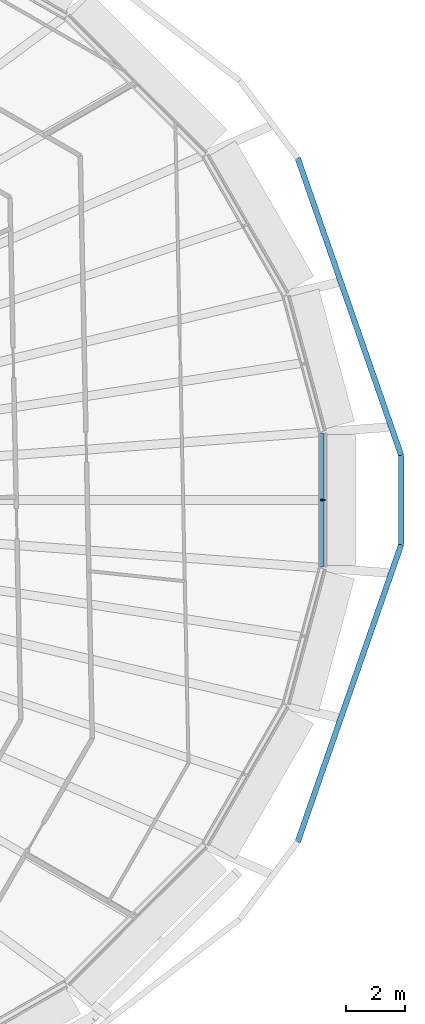
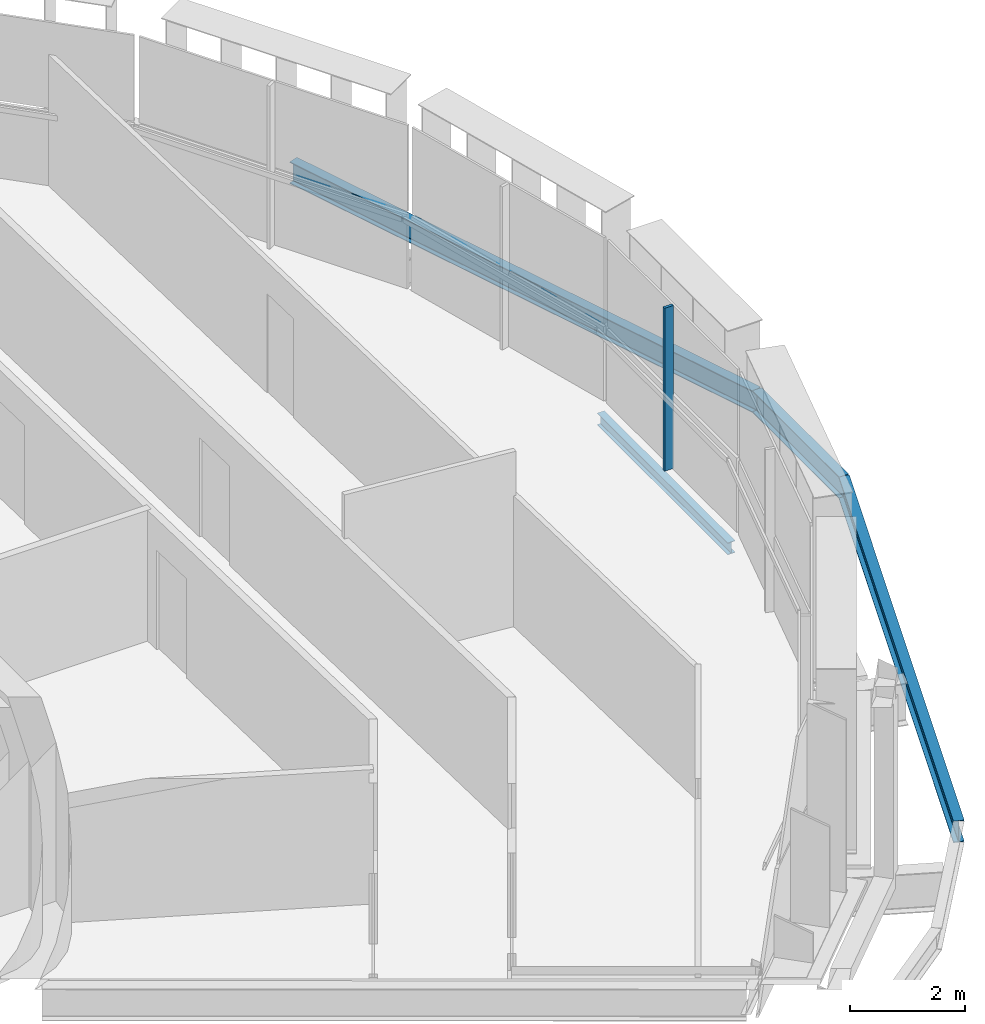
# One storey, part 9 of 23: 4 beams, 1 member, 1 element without a shape of its own.
"""IFC4 building model written with IfcOpenShell, lengths in metres."""

import ifcopenshell
import ifcopenshell.guid

model = None  # the IFC model being written
_history = None  # IfcOwnerHistory: only IFC2X3 demands one
_inside = {}  # id of a spatial element -> (the spatial element, [elements in it])
_under = {}  # id of a project, library or spatial element -> (it, [spatial elements below it])
_declared = {}  # id of a project -> (the project, [libraries it declares])
_typed = {}  # id of a type object -> (the type object, [elements of that type])
_made_of = {}  # id of a material, layer set ... -> (it, [elements and type objects made of it])


def new_model(schema):
    """Start an empty IFC model of exactly this schema.

    Asked for "IFC4X3", IfcOpenShell would pick the latest addendum, in which some entities
    have other attributes; the version numbers below select the first issue.
    IFC2X3 requires an IfcOwnerHistory on every rooted entity: one is made here for all.
    """
    global model, _history
    if schema == "IFC4X3":
        model = ifcopenshell.file(schema_version=(4, 3, 0, 0))
    else:
        model = ifcopenshell.file(schema=schema)
    _inside.clear()
    _under.clear()
    _declared.clear()
    _typed.clear()
    _made_of.clear()
    _history = None
    if model.schema == "IFC2X3":
        org = make("IfcOrganization", Name="unknown")
        user = make(
            "IfcPersonAndOrganization",
            ThePerson=make("IfcPerson", FamilyName="unknown"),
            TheOrganization=org,
        )
        app = make(
            "IfcApplication",
            ApplicationDeveloper=org,
            Version="unknown",
            ApplicationFullName="unknown",
            ApplicationIdentifier="unknown",
        )
        _history = make(
            "IfcOwnerHistory",
            OwningUser=user,
            OwningApplication=app,
            ChangeAction="ADDED",
            CreationDate=0,
        )
    return model


def make(cls, **values):
    """One entity of the class cls with the attributes given. An attribute that is None is left unset."""
    return model.create_entity(
        cls, **{name: value for name, value in values.items() if value is not None}
    )


def rooted(cls, **values):
    """An entity with a GlobalId (a new one), such as an element, a storey or a relation."""
    return make(cls, GlobalId=ifcopenshell.guid.new(), OwnerHistory=_history, **values)


def si_unit(unit_type, name, prefix=None):
    """IfcSIUnit, for example si_unit("LENGTHUNIT", "METRE", prefix="MILLI")."""
    return make("IfcSIUnit", UnitType=unit_type, Prefix=prefix, Name=name)


def assignment(units):
    """IfcUnitAssignment: the units of a project."""
    return None if units is None else make("IfcUnitAssignment", Units=units)


def point(xyz):
    """IfcCartesianPoint."""
    return None if xyz is None else make("IfcCartesianPoint", Coordinates=xyz)


def direction(xyz):
    """IfcDirection."""
    return None if xyz is None else make("IfcDirection", DirectionRatios=xyz)


def frame(location, z_axis=None, x_axis=None):
    """IfcAxis2Placement3D, a coordinate frame: its origin and axes. An axis left out is left unset."""
    return make(
        "IfcAxis2Placement3D",
        Location=point(location),
        Axis=direction(z_axis),
        RefDirection=direction(x_axis),
    )


def frame_2d(location, x_axis=None):
    """IfcAxis2Placement2D, a coordinate frame in the plane: its origin and x axis."""
    return make(
        "IfcAxis2Placement2D", Location=point(location), RefDirection=direction(x_axis)
    )


def origin():
    """The frame at (0, 0, 0) with its axes left unset."""
    return frame((0.0, 0.0, 0.0))


def origin_2d():
    """The frame at (0, 0) in the plane with its x axis left unset."""
    return frame_2d((0.0, 0.0))


def place(relative_to, where):
    """IfcLocalPlacement: puts the frame where relative to a parent placement (None: the world)."""
    return make(
        "IfcLocalPlacement", PlacementRelTo=relative_to, RelativePlacement=where
    )


def context(
    kind, dimensions, precision=None, world=None, true_north=None, identifier=None
):
    """IfcGeometricRepresentationContext, for example the 3D "Model" context."""
    return make(
        "IfcGeometricRepresentationContext",
        ContextIdentifier=identifier,
        ContextType=kind,
        CoordinateSpaceDimension=dimensions,
        Precision=precision,
        WorldCoordinateSystem=world,
        TrueNorth=true_north,
    )


def subcontext(parent, identifier, kind, view, scale=None):
    """IfcGeometricRepresentationSubContext, for example "Body" below "Model"."""
    return make(
        "IfcGeometricRepresentationSubContext",
        ContextIdentifier=identifier,
        ContextType=kind,
        ParentContext=parent,
        TargetScale=scale,
        TargetView=view,
    )


def project(units=None, contexts=None):
    """IfcProject with its units and contexts."""
    return rooted(
        "IfcProject",
        Name="project",
        RepresentationContexts=contexts,
        UnitsInContext=assignment(units),
    )


def spatial(cls, under=None, at=None, **own):
    """A site, building, storey or space (cls), placed at a placement, below another one or the project."""
    s = rooted(cls, ObjectPlacement=at, **own)
    if under is not None:
        _under.setdefault(under.id(), (under, []))[1].append(s)
    return s


def profile(cls, at=None, kind="AREA", **sizes):
    """A parametric profile (cls). Its sizes go by their IFC names, for example OverallWidth=200.0."""
    return make(cls, ProfileType=kind, Position=at, **sizes)


def rectangle(**sizes):
    """IfcRectangleProfileDef."""
    return profile("IfcRectangleProfileDef", **sizes)


def i_section(**sizes):
    """IfcIShapeProfileDef."""
    return profile("IfcIShapeProfileDef", **sizes)


def extrude(swept, where, along, depth):
    """IfcExtrudedAreaSolid: the profile swept, set in the frame where, extruded along a direction by depth."""
    return make(
        "IfcExtrudedAreaSolid",
        SweptArea=swept,
        Position=where,
        ExtrudedDirection=direction(along),
        Depth=depth,
    )


def shape(context_of_items, identifier, shape_type, items):
    """IfcShapeRepresentation: the items that make up one representation, for example the "Body"."""
    return make(
        "IfcShapeRepresentation",
        ContextOfItems=context_of_items,
        RepresentationIdentifier=identifier,
        RepresentationType=shape_type,
        Items=items,
    )


def material(Name=None, Category=None):
    """IfcMaterial."""
    return make("IfcMaterial", Name=Name, Category=Category)


def layer(
    of_material, thickness, ventilated=None, Name=None, Category=None, Priority=None
):
    """IfcMaterialLayer: one layer of a wall or slab, of a material (None: an air gap)."""
    return make(
        "IfcMaterialLayer",
        Material=of_material,
        LayerThickness=thickness,
        IsVentilated=ventilated,
        Name=Name,
        Category=Category,
        Priority=Priority,
    )


def layer_set(layers, Name=None):
    """IfcMaterialLayerSet."""
    return make("IfcMaterialLayerSet", MaterialLayers=layers, LayerSetName=Name)


def material_profile(
    of_material, cross_section, Name=None, Category=None, Priority=None
):
    """IfcMaterialProfile: a cross section and its material."""
    return make(
        "IfcMaterialProfile",
        Name=Name,
        Material=of_material,
        Profile=cross_section,
        Priority=Priority,
        Category=Category,
    )


def profile_set(profiles, Name=None, composite=None):
    """IfcMaterialProfileSet."""
    return make(
        "IfcMaterialProfileSet",
        Name=Name,
        MaterialProfiles=profiles,
        CompositeProfile=composite,
    )


def made_of(thing, what):
    """Note that an element or type object is made of a material, layer set ...; save() writes the relation."""
    if what is not None:
        _made_of.setdefault(what.id(), (what, []))[1].append(thing)
    return thing


def type_object(cls, material=None, **own):
    """A type object (cls), such as IfcWallType, which elements share."""
    return made_of(rooted(cls, **own), material)


def element(
    cls,
    number,
    at=None,
    inside=None,
    cuts=None,
    type_object=None,
    material=None,
    context=None,
    identifier="Body",
    shape_type=None,
    held_by="IfcProductDefinitionShape",
    body=None,
    shapes=None,
    **own,
):
    """One element of the class cls, such as IfcWall. Its Tag is "e" and its number.

    at: its placement. inside: the storey or other place that contains it. cuts: it is an
    opening in that element (IfcRelVoidsElement). A single representation is given by context,
    identifier, shape_type and body (its items); several are given by shapes. held_by: the class
    of the entity that holds the representations. save() writes the other relations.
    """
    e = rooted(cls, Tag="e%d" % number, ObjectPlacement=at, **own)
    if body is not None:
        shapes = [shape(context, identifier, shape_type, body)]
    if shapes is not None:
        e.Representation = make(held_by, Representations=shapes)
    if inside is not None:
        _inside.setdefault(inside.id(), (inside, []))[1].append(e)
    if cuts is not None:
        rooted(
            "IfcRelVoidsElement", RelatingBuildingElement=cuts, RelatedOpeningElement=e
        )
    if type_object is not None:
        _typed.setdefault(type_object.id(), (type_object, []))[1].append(e)
    return made_of(e, material)


def aggregate(whole, parts):
    """IfcRelAggregates: a whole, such as a stair, and the parts it consists of."""
    return rooted("IfcRelAggregates", RelatingObject=whole, RelatedObjects=parts)


def save(model, path):
    """Write the relations noted so far, then the file.

    IfcRelAggregates (storeys below a building ...), IfcRelContainedInSpatialStructure (elements
    in a storey), IfcRelDefinesByType, IfcRelAssociatesMaterial and IfcRelDeclares: one each for
    every whole, place, type object, material and project.
    """
    for whole, parts in _under.values():
        aggregate(whole, parts)
    for where, things in _inside.values():
        rooted(
            "IfcRelContainedInSpatialStructure",
            RelatedElements=things,
            RelatingStructure=where,
        )
    for kind, things in _typed.values():
        rooted("IfcRelDefinesByType", RelatedObjects=things, RelatingType=kind)
    for what, things in _made_of.values():
        rooted("IfcRelAssociatesMaterial", RelatedObjects=things, RelatingMaterial=what)
    for by, libraries in _declared.values():
        rooted("IfcRelDeclares", RelatingContext=by, RelatedDefinitions=libraries)
    model.write(path)


model = new_model("IFC4")

# Units and contexts
model_context = context("Model", 3, precision=1e-05, world=origin(), true_north=direction((0.0, 1.0)))
body_context = subcontext(model_context, "Body", "Model", "MODEL_VIEW")
ifc_project = project(units=[si_unit("LENGTHUNIT", "METRE"), si_unit("AREAUNIT", "SQUARE_METRE"), si_unit("VOLUMEUNIT", "CUBIC_METRE"), si_unit("PLANEANGLEUNIT", "RADIAN"), si_unit("MASSUNIT", "GRAM", prefix="KILO")], contexts=[model_context])

# Site, building, storey
site_placement = place(None, origin())
site = spatial("IfcSite", under=ifc_project, at=site_placement, CompositionType="ELEMENT")
building_placement = place(site_placement, origin())
building = spatial("IfcBuilding", under=site, at=building_placement, Name="Sahrelin Media Tower", CompositionType="ELEMENT")
storey_placement = place(building_placement, frame((0.0, 0.0, 185.60009765625)))
storey = spatial("IfcBuildingStorey", under=building, at=storey_placement, Name="L39", CompositionType="ELEMENT", Elevation=185.60009765625)

# Beam
ifc_material_1 = material(Name="Steel S355", Category="steel")
ifc_material_profile_1 = material_profile(ifc_material_1, i_section(OverallWidth=0.14599609375, OverallDepth=0.25146484375, WebThickness=0.006103515625, FlangeThickness=0.008544921875, FilletRadius=0.007568359375, at=origin_2d()), Name="UB 254x146x31")
ifc_profile_set_1 = profile_set([ifc_material_profile_1], Name="Steel S355")
beam_type_1 = type_object("IfcBeamType", Name="Edge beam EB1", PredefinedType="BEAM", material=ifc_profile_set_1)
beam_1_placement = place(storey_placement, frame((30.67724609375, 2.267578125, -0.27587890625), z_axis=(0.0, -1.0, 0.0), x_axis=(1.0, 0.0, 0.0)))
element("IfcBeam", 1, at=beam_1_placement, inside=storey, type_object=beam_type_1, Name="Edge beam L39-01", PredefinedType="BEAM", context=body_context, shape_type="SweptSolid", body=[
    extrude(i_section(OverallWidth=0.14599609375, OverallDepth=0.25146484375, WebThickness=0.006103515625, FlangeThickness=0.008544921875, FilletRadius=0.007568359375, at=origin_2d()), origin(), (0.0, 0.0, 1.0), 4.53515625),
])

# Curtain wall, member
ifc_material_2 = material(Name="Champagne anodised aluminium 6063-T6", Category="aluminium")
ifc_layer = layer(ifc_material_2, 0.14990234375)
ifc_layer_set = layer_set([ifc_layer], Name="Tower ribbon curtain wall")
curtain_wall_type = type_object("IfcCurtainWallType", Name="Tower ribbon curtain wall", PredefinedType="NOTDEFINED", material=ifc_layer_set)
curtain_wall_placement = place(storey_placement, frame((30.827392578125, 0.0, 0.0), z_axis=(0.0, 0.0, 1.0), x_axis=(1.0, 0.0, 0.0)))
curtain_wall = element("IfcCurtainWall", 2, at=curtain_wall_placement, inside=storey, type_object=curtain_wall_type, Name="L39:CW:L39-00", PredefinedType="NOTDEFINED")
ifc_material_profile_2 = material_profile(ifc_material_2, rectangle(XDim=0.06005859375, YDim=0.175048828125, at=origin_2d()), Name="Mullion 60x175")
ifc_profile_set_2 = profile_set([ifc_material_profile_2], Name="Champagne anodised aluminium 6063-T6")
member_type = type_object("IfcMemberType", Name="Mullion 60x175 CW1B", PredefinedType="MULLION", material=ifc_profile_set_2)
member_placement = place(storey_placement, frame((30.7197265625, 0.0, 0.0), z_axis=(0.0, 0.0, 1.0), x_axis=(0.0, 1.0, 0.0)))
member = element("IfcMember", 3, at=member_placement, type_object=member_type, Name="L39:CWM:L39-00", PredefinedType="MULLION", context=body_context, shape_type="SweptSolid", body=[
    extrude(rectangle(XDim=0.06005859375, YDim=0.175048828125, at=origin_2d()), origin(), (0.0, 0.0, 1.0), 3.448486328125),
])
aggregate(curtain_wall, [member])

# Beams
ifc_material_profile_3 = material_profile(ifc_material_1, i_section(OverallWidth=0.1904296875, OverallDepth=0.45703125, WebThickness=0.009033203125, FlangeThickness=0.014404296875, FilletRadius=0.01025390625, at=origin_2d()), Name="UB 457x191x74")
ifc_profile_set_3 = profile_set([ifc_material_profile_3], Name="Steel S355")
beam_type_2 = type_object("IfcBeamType", Name="Tie chord TC5", PredefinedType="BEAM", material=ifc_profile_set_3)
for number, where, z_axis, x_axis, name in (
    (4, (33.3662109375, 1.507080078125, -0.378662109375), (-0.3287533588, 0.944415813653, 0.0), (-0.944415813653, -0.3287533588, 0.0), "Tie chord L39-01"),
    (5, (29.875244140625, -11.53564453125, -0.378662109375), (0.3287533588, 0.944415813653, 0.0), (-0.944415813653, 0.3287533588, 0.0), "Tie chord L39-23"),
):
    element("IfcBeam", number, at=place(storey_placement, frame(where, z_axis=z_axis, x_axis=x_axis)), inside=storey, type_object=beam_type_2, Name=name, PredefinedType="BEAM", context=body_context, shape_type="SweptSolid", body=[
        extrude(i_section(OverallWidth=0.1904296875, OverallDepth=0.45703125, WebThickness=0.009033203125, FlangeThickness=0.014404296875, FilletRadius=0.01025390625, at=origin_2d()), origin(), (0.0, 0.0, 1.0), 10.618896484375),
    ])
beam_2_placement = place(storey_placement, frame((33.3662109375, -1.507080078125, -0.378662109375), z_axis=(0.0, 1.0, 0.0), x_axis=(-1.0, 0.0, 0.0)))
element("IfcBeam", 6, at=beam_2_placement, inside=storey, type_object=beam_type_2, Name="Tie chord L39-24", PredefinedType="BEAM", context=body_context, shape_type="SweptSolid", body=[
    extrude(i_section(OverallWidth=0.1904296875, OverallDepth=0.45703125, WebThickness=0.009033203125, FlangeThickness=0.014404296875, FilletRadius=0.01025390625, at=origin_2d()), origin(), (0.0, 0.0, 1.0), 3.01416015625),
])

save(model, "model.ifc")
